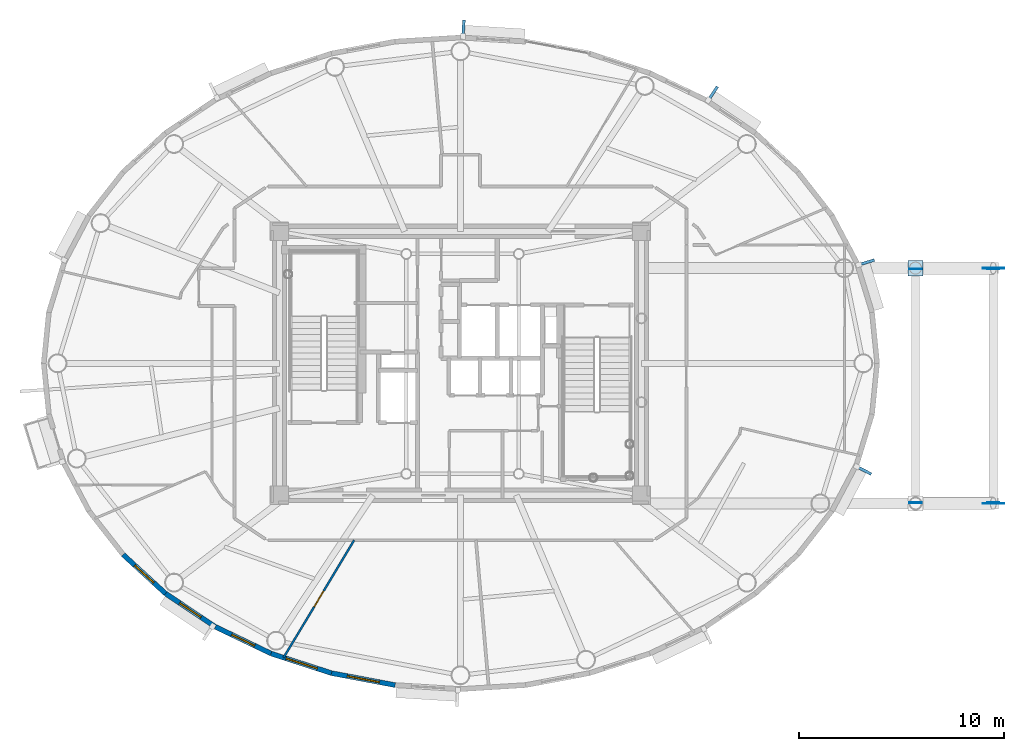
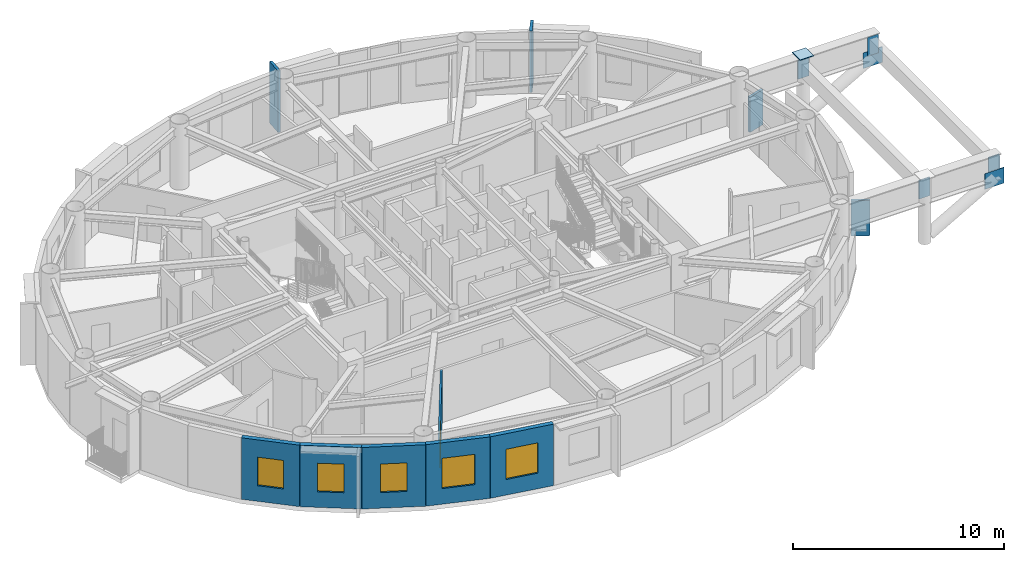
# One storey, part 7 of 19: 11 plates, 6 walls, 5 windows, 1 door, 6 openings.
"""IFC4 building model written with IfcOpenShell, lengths in metres."""

from ifc_helpers import new_model, si_unit, direction, frame, frame_2d, origin, origin_2d, place, context, subcontext, project, spatial, rectangle, extrude, source, transform, mapped, material, layer, layer_set, type_object, element, fill, save


model = new_model("IFC4")

# Units and contexts
model_context = context("Model", 3, precision=1e-05, world=origin(), true_north=direction((0.0, 1.0)))
body_context = subcontext(model_context, "Body", "Model", "MODEL_VIEW")
ifc_project = project(units=[si_unit("LENGTHUNIT", "METRE"), si_unit("AREAUNIT", "SQUARE_METRE"), si_unit("VOLUMEUNIT", "CUBIC_METRE"), si_unit("PLANEANGLEUNIT", "RADIAN"), si_unit("MASSUNIT", "GRAM", prefix="KILO")], contexts=[model_context])

# Site, building, storey
site_placement = place(None, origin())
site = spatial("IfcSite", under=ifc_project, at=site_placement, CompositionType="ELEMENT")
building_placement = place(site_placement, origin())
building = spatial("IfcBuilding", under=site, at=building_placement, Name="Linh Dai School and Residence Tower", CompositionType="ELEMENT")
storey_placement = place(building_placement, frame((0.0, 0.0, 339.199951171875)))
storey = spatial("IfcBuildingStorey", under=building, at=storey_placement, Name="L84", CompositionType="ELEMENT", Elevation=339.199951171875)

# Plates
ifc_material_1 = material(Name="Structural Steel S355JR", Category="steel")
ifc_layer_1 = layer(ifc_material_1, 0.0400390625)
ifc_layer_set_1 = layer_set([ifc_layer_1], Name="Structural Steel S355JR")
plate_type_1 = type_object("IfcPlateType", Name="PLT-GP1", PredefinedType="USERDEFINED", material=ifc_layer_set_1)
shared_shape_1 = source(origin(), body_context, "Body", "SweptSolid", [
    extrude(rectangle(XDim=0.75, YDim=0.75, at=origin_2d()), origin(), (0.0, 0.0, 1.0), 0.0400390625),
])
plate_placement = place(storey_placement, frame((58.25, 31.65478515625, 3.550048828125), z_axis=(0.0, 0.0, 1.0), x_axis=(1.0, 0.0, 0.0)))
element("IfcPlate", 1, at=plate_placement, inside=storey, type_object=plate_type_1, Name="L84 Sky-Lounge Step Post Cap Plate N", ObjectType="GUSSET PLATE", PredefinedType="USERDEFINED", context=body_context, shape_type="MappedRepresentation", body=[
    mapped(shared_shape_1, transform((0.0, 0.0, 0.0), x_axis=(1.0, 0.0, 0.0), y_axis=(0.0, 1.0, 0.0), z_axis=(0.0, 0.0, 1.0), scale=1.0)),
])
shared_shape_2 = source(origin(), body_context, "Body", "SweptSolid", [
    extrude(rectangle(XDim=1.050048828125, YDim=0.0400390625, at=origin_2d()), origin(), (0.0, 0.0, 1.0), 0.89990234375),
])
for number, where, z_axis, x_axis, name in (
    (2, (62.050048828125, 20.1474609375, 1.60009765625), (0.0, 0.0, 1.0), (1.0, 0.0, 0.0), "L84 Sky-Lounge Upper Strut Gusset S"),
    (3, (62.050048828125, 31.65478515625, 1.60009765625), (0.0, 0.0, 1.0), (1.0, 0.0, 0.0), "L84 Sky-Lounge Upper Strut Gusset N"),
):
    element("IfcPlate", number, at=place(storey_placement, frame(where, z_axis=z_axis, x_axis=x_axis)), inside=storey, type_object=plate_type_1, Name=name, ObjectType="GUSSET PLATE", PredefinedType="USERDEFINED", context=body_context, shape_type="MappedRepresentation", body=[
        mapped(shared_shape_2, transform((0.0, 0.0, 0.0), x_axis=(1.0, 0.0, 0.0), y_axis=(0.0, 1.0, 0.0), z_axis=(0.0, 0.0, 1.0), scale=1.0)),
    ])
shared_shape_3 = source(origin(), body_context, "Body", "SweptSolid", [
    extrude(rectangle(XDim=0.60009765625, YDim=0.0400390625, at=origin_2d()), origin(), (0.0, 0.0, 1.0), 1.080078125),
])
for number, where, z_axis, x_axis, name in (
    (4, (58.25, 20.1875, 2.260009765625), (0.0, 0.0, 1.0), (1.0, 0.0, 0.0), "L84 Sky-Lounge Transverse Girder End Plate S1-S"),
    (5, (58.25, 31.61474609375, 2.260009765625), (0.0, 0.0, 1.0), (1.0, 0.0, 0.0), "L84 Sky-Lounge Transverse Girder End Plate S1-N"),
    (6, (62.050048828125, 20.1875, 2.260009765625), (0.0, 0.0, 1.0), (1.0, 0.0, 0.0), "L84 Sky-Lounge Transverse Girder End Plate MID-S"),
    (7, (62.050048828125, 31.61474609375, 2.260009765625), (0.0, 0.0, 1.0), (1.0, 0.0, 0.0), "L84 Sky-Lounge Transverse Girder End Plate MID-N"),
):
    element("IfcPlate", number, at=place(storey_placement, frame(where, z_axis=z_axis, x_axis=x_axis)), inside=storey, type_object=plate_type_1, Name=name, ObjectType="GUSSET PLATE", PredefinedType="USERDEFINED", context=body_context, shape_type="MappedRepresentation", body=[
        mapped(shared_shape_3, transform((0.0, 0.0, 0.0), x_axis=(1.0, 0.0, 0.0), y_axis=(0.0, 1.0, 0.0), z_axis=(0.0, 0.0, 1.0), scale=1.0)),
    ])
ifc_material_2 = material(Name="Precast Concrete B45 (C35/45)", Category="concrete")
ifc_layer_2 = layer(ifc_material_2, 0.139892578125)
ifc_layer_set_2 = layer_set([ifc_layer_2], Name="Precast Concrete B45 (C35/45)")
plate_type_2 = type_object("IfcPlateType", Name="FIN-TC-900x140", PredefinedType="USERDEFINED", material=ifc_layer_set_2)
shared_shape_4 = source(origin(), body_context, "Body", "SweptSolid", [
    extrude(rectangle(XDim=0.89990234375, YDim=0.139892578125, at=origin_2d()), origin(), (0.0, 0.0, 1.0), 3.550048828125),
])
for number, where, z_axis, x_axis, name in (
    (8, (48.3154296875, 40.154296875, 0.0), (0.0, 0.0, 1.0), (0.555970777144, 0.831201837679, 0.0), "L84 Precast Terracotta Radial Fin 06"),
    (9, (36.14501953125, 43.331787109375, 0.0), (0.0, 0.0, 1.0), (0.061518467854, 0.998105945335, 0.0), "L84 Precast Terracotta Radial Fin 10"),
):
    element("IfcPlate", number, at=place(storey_placement, frame(where, z_axis=z_axis, x_axis=x_axis)), inside=storey, type_object=plate_type_2, Name=name, ObjectType="RADIAL FIN", PredefinedType="USERDEFINED", context=body_context, shape_type="MappedRepresentation", body=[
        mapped(shared_shape_4, transform((0.0, 0.0, 0.0), x_axis=(1.0, 0.0, 0.0), y_axis=(0.0, 1.0, 0.0), z_axis=(0.0, 0.0, 1.0), scale=1.0)),
    ])
shared_shape_5 = source(origin(), body_context, "Body", "SweptSolid", [
    extrude(rectangle(XDim=0.89990234375, YDim=0.139892578125, at=origin_2d()), origin(), (0.0, 0.0, 1.0), 2.034912109375),
])
for number, where, z_axis, x_axis, name in (
    (10, (55.808349609375, 31.918701171875, 0.0), (0.0, 0.0, 1.0), (0.956083389379, 0.293094784248, 0.0), "L84 Precast Terracotta Radial Fin 02"),
    (11, (55.6875, 21.788818359375, 0.0), (0.0, 0.0, 1.0), (0.883971809156, -0.46754020214, 0.0), "L84 Precast Terracotta Radial Fin 38"),
):
    element("IfcPlate", number, at=place(storey_placement, frame(where, z_axis=z_axis, x_axis=x_axis)), inside=storey, type_object=plate_type_2, Name=name, ObjectType="RADIAL FIN", PredefinedType="USERDEFINED", context=body_context, shape_type="MappedRepresentation", body=[
        mapped(shared_shape_5, transform((0.0, 0.0, 0.0), x_axis=(1.0, 0.0, 0.0), y_axis=(0.0, 1.0, 0.0), z_axis=(0.0, 0.0, 1.0), scale=1.0)),
    ])

# Wall, opening, window
ifc_layer_3 = layer(ifc_material_2, 0.239990234375)
ifc_layer_set_3 = layer_set([ifc_layer_3], Name="Precast Concrete B45 (C35/45)")
wall_type_1 = type_object("IfcWallType", Name="EW-TC-240", PredefinedType="SOLIDWALL", material=ifc_layer_set_3)
wall_1_placement = place(storey_placement, frame((21.581298828125, 15.745849609375, 0.0), z_axis=(0.0, 0.0, 1.0), x_axis=(-0.737020907932, 0.675869944051, 0.0)))
wall_1 = element("IfcWall", 12, at=wall_1_placement, inside=storey, type_object=wall_type_1, Name="L84 Terracotta Exterior Wall 25", PredefinedType="SOLIDWALL", context=body_context, shape_type="SweptSolid", body=[
    extrude(rectangle(XDim=2.814697265625, YDim=0.239990234375, at=frame_2d((1.4072265625, 0.0))), origin(), (0.0, 0.0, 1.0), 3.550048828125),
])
opening_1_placement = place(wall_1_placement, frame((0.781982421875, 0.0, 0.89990234375)))
opening_1 = element("IfcOpeningElement", 13, at=opening_1_placement, cuts=wall_1, Name="Opening W3", PredefinedType="OPENING", context=body_context, shape_type="SweptSolid", body=[
    extrude(rectangle(XDim=1.25, YDim=1.64990234375, at=origin_2d()), frame((0.625, 0.1298828125, 0.824951171875), z_axis=(0.0, -1.0, 0.0), x_axis=(1.0, 0.0, 0.0)), (0.0, 0.0, 1.0), 0.260009765625),
])
ifc_material_3 = material(Name="Double Low-E Insulated Glazing", Category="glass")
window_type_1 = type_object("IfcWindowType", Name="WN-RES-1250x1650", PartitioningType="SINGLE_PANEL", PredefinedType="WINDOW", material=ifc_material_3)
shared_shape_6 = source(origin(), body_context, "Body", "SweptSolid", [
    extrude(rectangle(XDim=1.25, YDim=1.64990234375, at=origin_2d()), frame((0.625, 0.030029296875, 0.824951171875), z_axis=(0.0, -1.0, 0.0), x_axis=(1.0, 0.0, 0.0)), (0.0, 0.0, 1.0), 0.06005859375),
])
window_1_placement = place(opening_1_placement, origin())
window_1 = element("IfcWindow", 14, at=window_1_placement, inside=storey, type_object=window_type_1, Name="L84 Exterior Window 25.1", OverallHeight=1.64990234375, OverallWidth=1.25, PartitioningType="SINGLE_PANEL", PredefinedType="WINDOW", context=body_context, shape_type="MappedRepresentation", body=[
    mapped(shared_shape_6, transform((0.0, 0.0, 0.0), x_axis=(1.0, 0.0, 0.0), y_axis=(0.0, 1.0, 0.0), z_axis=(0.0, 0.0, 1.0), scale=1.0)),
])
fill(opening_1, window_1)

wall_2_placement = place(storey_placement, frame((24.01220703125, 14.119873046875, 0.0), z_axis=(0.0, 0.0, 1.0), x_axis=(-0.831201688654, 0.555970999944, 0.0)))
wall_2 = element("IfcWall", 15, at=wall_2_placement, inside=storey, type_object=wall_type_1, Name="L84 Terracotta Exterior Wall 26", PredefinedType="SOLIDWALL", context=body_context, shape_type="SweptSolid", body=[
    extrude(rectangle(XDim=2.924560546875, YDim=0.239990234375, at=frame_2d((1.46240234375, 0.0))), origin(), (0.0, 0.0, 1.0), 3.550048828125),
])
opening_2_placement = place(wall_2_placement, frame((0.837158203125, 0.0, 0.89990234375)))
opening_2 = element("IfcOpeningElement", 16, at=opening_2_placement, cuts=wall_2, Name="Opening W3", PredefinedType="OPENING", context=body_context, shape_type="SweptSolid", body=[
    extrude(rectangle(XDim=1.25, YDim=1.64990234375, at=origin_2d()), frame((0.625, 0.1298828125, 0.824951171875), z_axis=(0.0, -1.0, 0.0), x_axis=(1.0, 0.0, 0.0)), (0.0, 0.0, 1.0), 0.260009765625),
])
window_2_placement = place(opening_2_placement, origin())
window_2 = element("IfcWindow", 17, at=window_2_placement, inside=storey, type_object=window_type_1, Name="L84 Exterior Window 26.1", OverallHeight=1.64990234375, OverallWidth=1.25, PartitioningType="SINGLE_PANEL", PredefinedType="WINDOW", context=body_context, shape_type="MappedRepresentation", body=[
    mapped(shared_shape_6, transform((0.0, 0.0, 0.0), x_axis=(1.0, 0.0, 0.0), y_axis=(0.0, 1.0, 0.0), z_axis=(0.0, 0.0, 1.0), scale=1.0)),
])
fill(opening_2, window_2)

wall_3_placement = place(storey_placement, frame((26.739501953125, 12.81103515625, 0.0), z_axis=(0.0, 0.0, 1.0), x_axis=(-0.901557057889, 0.432660226241, 0.0)))
wall_3 = element("IfcWall", 18, at=wall_3_placement, inside=storey, type_object=wall_type_1, Name="L84 Terracotta Exterior Wall 27", PredefinedType="SOLIDWALL", context=body_context, shape_type="SweptSolid", body=[
    extrude(rectangle(XDim=3.025146484375, YDim=0.239990234375, at=frame_2d((1.5126953125, 0.0))), origin(), (0.0, 0.0, 1.0), 3.550048828125),
])
opening_3_placement = place(wall_3_placement, frame((0.887451171875, 0.0, 0.89990234375)))
opening_3 = element("IfcOpeningElement", 19, at=opening_3_placement, cuts=wall_3, Name="Opening W3", PredefinedType="OPENING", context=body_context, shape_type="SweptSolid", body=[
    extrude(rectangle(XDim=1.25, YDim=1.64990234375, at=origin_2d()), frame((0.625, 0.1298828125, 0.824951171875), z_axis=(0.0, -1.0, 0.0), x_axis=(1.0, 0.0, 0.0)), (0.0, 0.0, 1.0), 0.260009765625),
])
window_3_placement = place(opening_3_placement, origin())
window_3 = element("IfcWindow", 20, at=window_3_placement, inside=storey, type_object=window_type_1, Name="L84 Exterior Window 27.1", OverallHeight=1.64990234375, OverallWidth=1.25, PartitioningType="SINGLE_PANEL", PredefinedType="WINDOW", context=body_context, shape_type="MappedRepresentation", body=[
    mapped(shared_shape_6, transform((0.0, 0.0, 0.0), x_axis=(1.0, 0.0, 0.0), y_axis=(0.0, 1.0, 0.0), z_axis=(0.0, 0.0, 1.0), scale=1.0)),
])
fill(opening_3, window_3)

wall_4_placement = place(storey_placement, frame((29.696044921875, 11.85205078125, 0.0), z_axis=(0.0, 0.0, 1.0), x_axis=(-0.951212850731, 0.308535431682, 0.0)))
wall_4 = element("IfcWall", 21, at=wall_4_placement, inside=storey, type_object=wall_type_1, Name="L84 Terracotta Exterior Wall 28", PredefinedType="SOLIDWALL", context=body_context, shape_type="SweptSolid", body=[
    extrude(rectangle(XDim=3.108154296875, YDim=0.239990234375, at=frame_2d((1.55419921875, 0.0))), origin(), (0.0, 0.0, 1.0), 3.550048828125),
])
opening_4_placement = place(wall_4_placement, frame((0.734375, 0.0, 0.89990234375)))
opening_4 = element("IfcOpeningElement", 22, at=opening_4_placement, cuts=wall_4, Name="Opening W2", PredefinedType="OPENING", context=body_context, shape_type="SweptSolid", body=[
    extrude(rectangle(XDim=1.60009765625, YDim=1.75, at=origin_2d()), frame((0.800048828125, 0.1298828125, 0.875), z_axis=(0.0, -1.0, 0.0), x_axis=(1.0, 0.0, 0.0)), (0.0, 0.0, 1.0), 0.260009765625),
])
window_type_2 = type_object("IfcWindowType", Name="WN-RES-1600x1750", PartitioningType="DOUBLE_PANEL_VERTICAL", PredefinedType="WINDOW", material=ifc_material_3)
shared_shape_7 = source(origin(), body_context, "Body", "SweptSolid", [
    extrude(rectangle(XDim=1.60009765625, YDim=1.75, at=origin_2d()), frame((0.800048828125, 0.030029296875, 0.875), z_axis=(0.0, -1.0, 0.0), x_axis=(1.0, 0.0, 0.0)), (0.0, 0.0, 1.0), 0.06005859375),
])
window_4_placement = place(opening_4_placement, origin())
window_4 = element("IfcWindow", 23, at=window_4_placement, inside=storey, type_object=window_type_2, Name="L84 Exterior Window 28.1", OverallHeight=1.75, OverallWidth=1.60009765625, PartitioningType="DOUBLE_PANEL_VERTICAL", PredefinedType="WINDOW", context=body_context, shape_type="MappedRepresentation", body=[
    mapped(shared_shape_7, transform((0.0, 0.0, 0.0), x_axis=(1.0, 0.0, 0.0), y_axis=(0.0, 1.0, 0.0), z_axis=(0.0, 0.0, 1.0), scale=1.0)),
])
fill(opening_4, window_4)

wall_5_placement = place(storey_placement, frame((32.80859375, 11.2666015625, 0.0), z_axis=(0.0, 0.0, 1.0), x_axis=(-0.98276643264, 0.184851667226, 0.0)))
wall_5 = element("IfcWall", 24, at=wall_5_placement, inside=storey, type_object=wall_type_1, Name="L84 Terracotta Exterior Wall 29", PredefinedType="SOLIDWALL", context=body_context, shape_type="SweptSolid", body=[
    extrude(rectangle(XDim=3.167236328125, YDim=0.239990234375, at=frame_2d((1.58349609375, 0.0))), origin(), (0.0, 0.0, 1.0), 3.550048828125),
])
opening_5_placement = place(wall_5_placement, frame((0.783447265625, 0.0, 0.89990234375)))
opening_5 = element("IfcOpeningElement", 25, at=opening_5_placement, cuts=wall_5, Name="Opening W2", PredefinedType="OPENING", context=body_context, shape_type="SweptSolid", body=[
    extrude(rectangle(XDim=1.60009765625, YDim=1.75, at=origin_2d()), frame((0.800048828125, 0.1298828125, 0.875), z_axis=(0.0, -1.0, 0.0), x_axis=(1.0, 0.0, 0.0)), (0.0, 0.0, 1.0), 0.260009765625),
])
window_5_placement = place(opening_5_placement, origin())
window_5 = element("IfcWindow", 26, at=window_5_placement, inside=storey, type_object=window_type_2, Name="L84 Exterior Window 29.1", OverallHeight=1.75, OverallWidth=1.60009765625, PartitioningType="DOUBLE_PANEL_VERTICAL", PredefinedType="WINDOW", context=body_context, shape_type="MappedRepresentation", body=[
    mapped(shared_shape_7, transform((0.0, 0.0, 0.0), x_axis=(1.0, 0.0, 0.0), y_axis=(0.0, 1.0, 0.0), z_axis=(0.0, 0.0, 1.0), scale=1.0)),
])
fill(opening_5, window_5)

# Wall, opening, door
ifc_material_4 = material(Name="Gypsum Plasterboard Acoustic Stud Partition", Category="masonry")
ifc_layer_4 = layer(ifc_material_4, 0.10009765625)
ifc_layer_set_4 = layer_set([ifc_layer_4], Name="Gypsum Plasterboard Acoustic Stud Partition")
wall_type_2 = type_object("IfcWallType", Name="IW-UNIT-100", PredefinedType="PARTITIONING", material=ifc_layer_set_4)
wall_6_placement = place(storey_placement, frame((27.351806640625, 12.607177734375, 0.0), z_axis=(0.0, 0.0, 1.0), x_axis=(0.515036887737, 0.857168014026, 0.0)))
wall_6 = element("IfcWall", 27, at=wall_6_placement, inside=storey, type_object=wall_type_2, Name="L84 Interior Partition Wall 019", PredefinedType="PARTITIONING", context=body_context, shape_type="SweptSolid", body=[
    extrude(rectangle(XDim=6.699951171875, YDim=0.10009765625, at=frame_2d((3.35009765625, 0.0))), origin(), (0.0, 0.0, 1.0), 3.03515625),
])
opening_6_placement = place(wall_6_placement, frame((2.89990234375, 0.0, 0.0)))
opening_6 = element("IfcOpeningElement", 28, at=opening_6_placement, cuts=wall_6, Name="Opening D05", PredefinedType="OPENING", context=body_context, shape_type="SweptSolid", body=[
    extrude(rectangle(XDim=0.89990234375, YDim=2.10009765625, at=origin_2d()), frame((0.449951171875, 0.06005859375, 1.050048828125), z_axis=(0.0, -1.0, 0.0), x_axis=(1.0, 0.0, 0.0)), (0.0, 0.0, 1.0), 0.1201171875),
])
ifc_material_5 = material(Name="Engineered Timber Internal Door", Category="wood")
door_type = type_object("IfcDoorType", Name="DR-INT-900x2100", OperationType="NOTDEFINED", PredefinedType="DOOR", material=ifc_material_5)
shared_shape_8 = source(origin(), body_context, "Body", "SweptSolid", [
    extrude(rectangle(XDim=0.89990234375, YDim=2.10009765625, at=origin_2d()), frame((0.449951171875, 0.02490234375, 1.050048828125), z_axis=(0.0, -1.0, 0.0), x_axis=(1.0, 0.0, 0.0)), (0.0, 0.0, 1.0), 0.050048828125),
])
door_placement = place(opening_6_placement, origin())
door = element("IfcDoor", 29, at=door_placement, inside=storey, type_object=door_type, Name="L84 Apartment U8401 Principal Bedroom 4 Door", OperationType="SINGLE_SWING_LEFT", OverallHeight=2.10009765625, OverallWidth=0.89990234375, PredefinedType="DOOR", context=body_context, shape_type="MappedRepresentation", body=[
    mapped(shared_shape_8, transform((0.0, 0.0, 0.0), x_axis=(1.0, 0.0, 0.0), y_axis=(0.0, 1.0, 0.0), z_axis=(0.0, 0.0, 1.0), scale=1.0)),
])
fill(opening_6, door)

save(model, "model.ifc")
